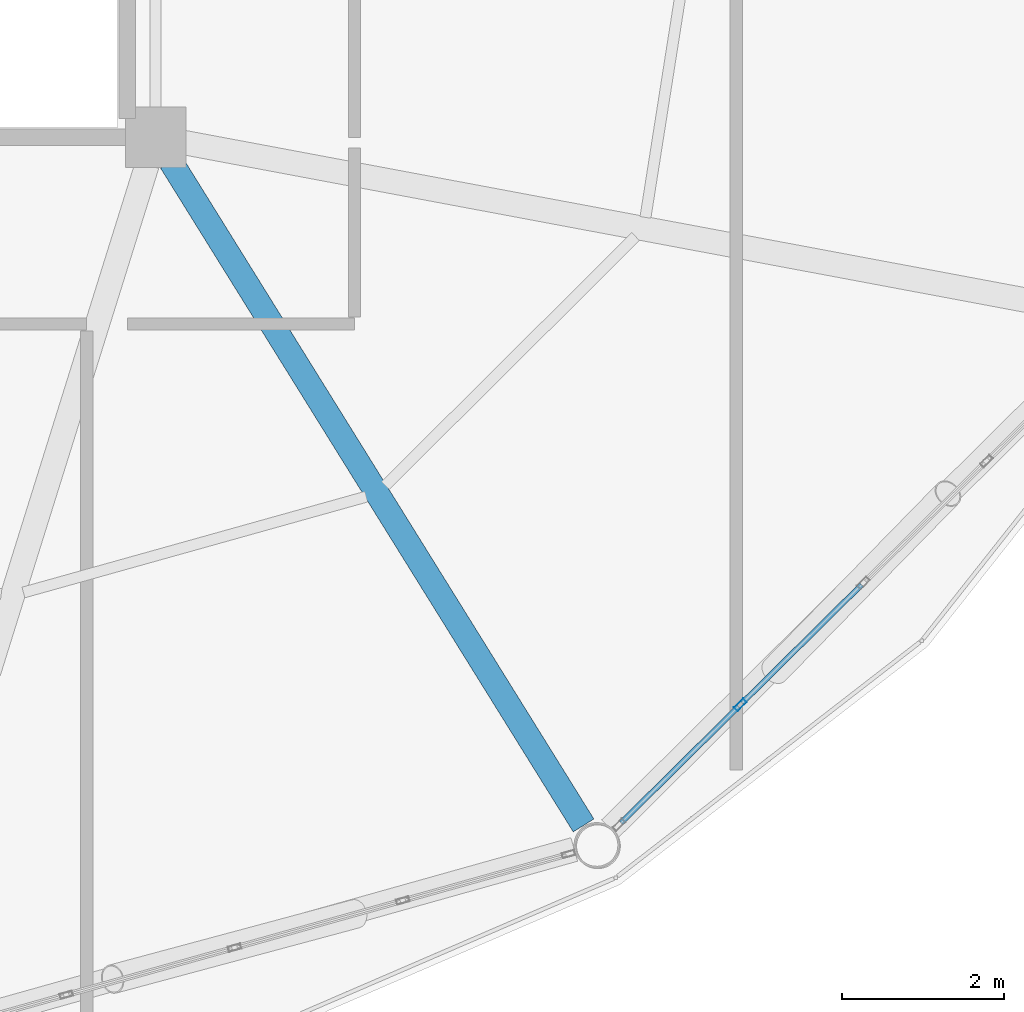
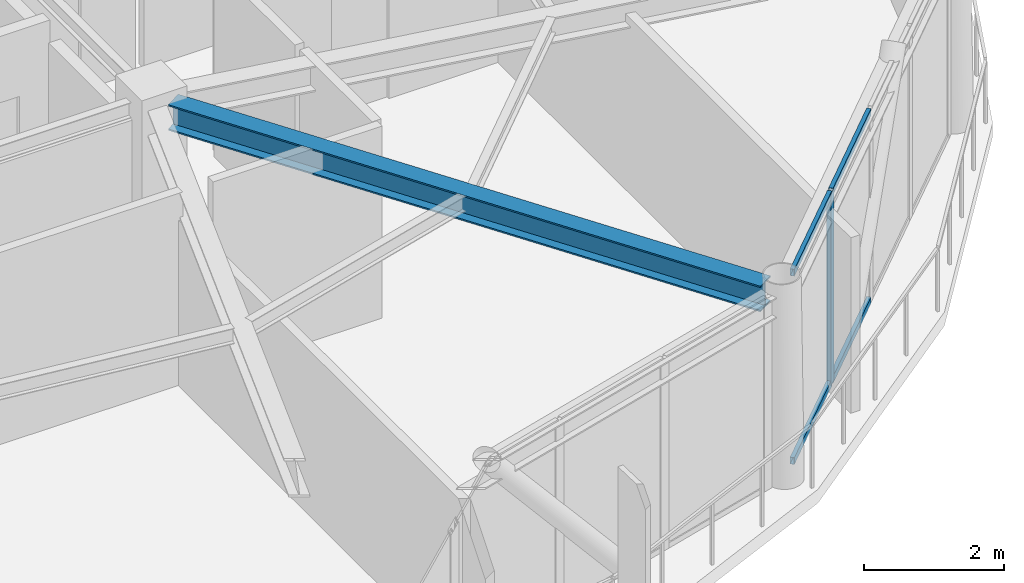
# One storey, part 7 of 24: 5 members, 1 beam, 1 element without a shape of its own.
"""IFC4 building model written with IfcOpenShell, lengths in metres."""

import ifcopenshell
import ifcopenshell.guid

model = None  # the IFC model being written
_history = None  # IfcOwnerHistory: only IFC2X3 demands one
_inside = {}  # id of a spatial element -> (the spatial element, [elements in it])
_under = {}  # id of a project, library or spatial element -> (it, [spatial elements below it])
_declared = {}  # id of a project -> (the project, [libraries it declares])
_typed = {}  # id of a type object -> (the type object, [elements of that type])
_made_of = {}  # id of a material, layer set ... -> (it, [elements and type objects made of it])


def new_model(schema):
    """Start an empty IFC model of exactly this schema.

    Asked for "IFC4X3", IfcOpenShell would pick the latest addendum, in which some entities
    have other attributes; the version numbers below select the first issue.
    IFC2X3 requires an IfcOwnerHistory on every rooted entity: one is made here for all.
    """
    global model, _history
    if schema == "IFC4X3":
        model = ifcopenshell.file(schema_version=(4, 3, 0, 0))
    else:
        model = ifcopenshell.file(schema=schema)
    _inside.clear()
    _under.clear()
    _declared.clear()
    _typed.clear()
    _made_of.clear()
    _history = None
    if model.schema == "IFC2X3":
        org = make("IfcOrganization", Name="unknown")
        user = make(
            "IfcPersonAndOrganization",
            ThePerson=make("IfcPerson", FamilyName="unknown"),
            TheOrganization=org,
        )
        app = make(
            "IfcApplication",
            ApplicationDeveloper=org,
            Version="unknown",
            ApplicationFullName="unknown",
            ApplicationIdentifier="unknown",
        )
        _history = make(
            "IfcOwnerHistory",
            OwningUser=user,
            OwningApplication=app,
            ChangeAction="ADDED",
            CreationDate=0,
        )
    return model


def make(cls, **values):
    """One entity of the class cls with the attributes given. An attribute that is None is left unset."""
    return model.create_entity(
        cls, **{name: value for name, value in values.items() if value is not None}
    )


def rooted(cls, **values):
    """An entity with a GlobalId (a new one), such as an element, a storey or a relation."""
    return make(cls, GlobalId=ifcopenshell.guid.new(), OwnerHistory=_history, **values)


def si_unit(unit_type, name, prefix=None):
    """IfcSIUnit, for example si_unit("LENGTHUNIT", "METRE", prefix="MILLI")."""
    return make("IfcSIUnit", UnitType=unit_type, Prefix=prefix, Name=name)


def assignment(units):
    """IfcUnitAssignment: the units of a project."""
    return None if units is None else make("IfcUnitAssignment", Units=units)


def point(xyz):
    """IfcCartesianPoint."""
    return None if xyz is None else make("IfcCartesianPoint", Coordinates=xyz)


def direction(xyz):
    """IfcDirection."""
    return None if xyz is None else make("IfcDirection", DirectionRatios=xyz)


def frame(location, z_axis=None, x_axis=None):
    """IfcAxis2Placement3D, a coordinate frame: its origin and axes. An axis left out is left unset."""
    return make(
        "IfcAxis2Placement3D",
        Location=point(location),
        Axis=direction(z_axis),
        RefDirection=direction(x_axis),
    )


def frame_2d(location, x_axis=None):
    """IfcAxis2Placement2D, a coordinate frame in the plane: its origin and x axis."""
    return make(
        "IfcAxis2Placement2D", Location=point(location), RefDirection=direction(x_axis)
    )


def origin():
    """The frame at (0, 0, 0) with its axes left unset."""
    return frame((0.0, 0.0, 0.0))


def origin_2d():
    """The frame at (0, 0) in the plane with its x axis left unset."""
    return frame_2d((0.0, 0.0))


def place(relative_to, where):
    """IfcLocalPlacement: puts the frame where relative to a parent placement (None: the world)."""
    return make(
        "IfcLocalPlacement", PlacementRelTo=relative_to, RelativePlacement=where
    )


def context(
    kind, dimensions, precision=None, world=None, true_north=None, identifier=None
):
    """IfcGeometricRepresentationContext, for example the 3D "Model" context."""
    return make(
        "IfcGeometricRepresentationContext",
        ContextIdentifier=identifier,
        ContextType=kind,
        CoordinateSpaceDimension=dimensions,
        Precision=precision,
        WorldCoordinateSystem=world,
        TrueNorth=true_north,
    )


def subcontext(parent, identifier, kind, view, scale=None):
    """IfcGeometricRepresentationSubContext, for example "Body" below "Model"."""
    return make(
        "IfcGeometricRepresentationSubContext",
        ContextIdentifier=identifier,
        ContextType=kind,
        ParentContext=parent,
        TargetScale=scale,
        TargetView=view,
    )


def project(units=None, contexts=None):
    """IfcProject with its units and contexts."""
    return rooted(
        "IfcProject",
        Name="project",
        RepresentationContexts=contexts,
        UnitsInContext=assignment(units),
    )


def spatial(cls, under=None, at=None, **own):
    """A site, building, storey or space (cls), placed at a placement, below another one or the project."""
    s = rooted(cls, ObjectPlacement=at, **own)
    if under is not None:
        _under.setdefault(under.id(), (under, []))[1].append(s)
    return s


def profile(cls, at=None, kind="AREA", **sizes):
    """A parametric profile (cls). Its sizes go by their IFC names, for example OverallWidth=200.0."""
    return make(cls, ProfileType=kind, Position=at, **sizes)


def hollow_rectangle(**sizes):
    """IfcRectangleHollowProfileDef."""
    return profile("IfcRectangleHollowProfileDef", **sizes)


def i_section(**sizes):
    """IfcIShapeProfileDef."""
    return profile("IfcIShapeProfileDef", **sizes)


def extrude(swept, where, along, depth):
    """IfcExtrudedAreaSolid: the profile swept, set in the frame where, extruded along a direction by depth."""
    return make(
        "IfcExtrudedAreaSolid",
        SweptArea=swept,
        Position=where,
        ExtrudedDirection=direction(along),
        Depth=depth,
    )


def shape(context_of_items, identifier, shape_type, items):
    """IfcShapeRepresentation: the items that make up one representation, for example the "Body"."""
    return make(
        "IfcShapeRepresentation",
        ContextOfItems=context_of_items,
        RepresentationIdentifier=identifier,
        RepresentationType=shape_type,
        Items=items,
    )


def material(Name=None, Category=None):
    """IfcMaterial."""
    return make("IfcMaterial", Name=Name, Category=Category)


def layer(
    of_material, thickness, ventilated=None, Name=None, Category=None, Priority=None
):
    """IfcMaterialLayer: one layer of a wall or slab, of a material (None: an air gap)."""
    return make(
        "IfcMaterialLayer",
        Material=of_material,
        LayerThickness=thickness,
        IsVentilated=ventilated,
        Name=Name,
        Category=Category,
        Priority=Priority,
    )


def layer_set(layers, Name=None):
    """IfcMaterialLayerSet."""
    return make("IfcMaterialLayerSet", MaterialLayers=layers, LayerSetName=Name)


def material_profile(
    of_material, cross_section, Name=None, Category=None, Priority=None
):
    """IfcMaterialProfile: a cross section and its material."""
    return make(
        "IfcMaterialProfile",
        Name=Name,
        Material=of_material,
        Profile=cross_section,
        Priority=Priority,
        Category=Category,
    )


def profile_set(profiles, Name=None, composite=None):
    """IfcMaterialProfileSet."""
    return make(
        "IfcMaterialProfileSet",
        Name=Name,
        MaterialProfiles=profiles,
        CompositeProfile=composite,
    )


def made_of(thing, what):
    """Note that an element or type object is made of a material, layer set ...; save() writes the relation."""
    if what is not None:
        _made_of.setdefault(what.id(), (what, []))[1].append(thing)
    return thing


def type_object(cls, material=None, **own):
    """A type object (cls), such as IfcWallType, which elements share."""
    return made_of(rooted(cls, **own), material)


def element(
    cls,
    number,
    at=None,
    inside=None,
    cuts=None,
    type_object=None,
    material=None,
    context=None,
    identifier="Body",
    shape_type=None,
    held_by="IfcProductDefinitionShape",
    body=None,
    shapes=None,
    **own,
):
    """One element of the class cls, such as IfcWall. Its Tag is "e" and its number.

    at: its placement. inside: the storey or other place that contains it. cuts: it is an
    opening in that element (IfcRelVoidsElement). A single representation is given by context,
    identifier, shape_type and body (its items); several are given by shapes. held_by: the class
    of the entity that holds the representations. save() writes the other relations.
    """
    e = rooted(cls, Tag="e%d" % number, ObjectPlacement=at, **own)
    if body is not None:
        shapes = [shape(context, identifier, shape_type, body)]
    if shapes is not None:
        e.Representation = make(held_by, Representations=shapes)
    if inside is not None:
        _inside.setdefault(inside.id(), (inside, []))[1].append(e)
    if cuts is not None:
        rooted(
            "IfcRelVoidsElement", RelatingBuildingElement=cuts, RelatedOpeningElement=e
        )
    if type_object is not None:
        _typed.setdefault(type_object.id(), (type_object, []))[1].append(e)
    return made_of(e, material)


def aggregate(whole, parts):
    """IfcRelAggregates: a whole, such as a stair, and the parts it consists of."""
    return rooted("IfcRelAggregates", RelatingObject=whole, RelatedObjects=parts)


def save(model, path):
    """Write the relations noted so far, then the file.

    IfcRelAggregates (storeys below a building ...), IfcRelContainedInSpatialStructure (elements
    in a storey), IfcRelDefinesByType, IfcRelAssociatesMaterial and IfcRelDeclares: one each for
    every whole, place, type object, material and project.
    """
    for whole, parts in _under.values():
        aggregate(whole, parts)
    for where, things in _inside.values():
        rooted(
            "IfcRelContainedInSpatialStructure",
            RelatedElements=things,
            RelatingStructure=where,
        )
    for kind, things in _typed.values():
        rooted("IfcRelDefinesByType", RelatedObjects=things, RelatingType=kind)
    for what, things in _made_of.values():
        rooted("IfcRelAssociatesMaterial", RelatedObjects=things, RelatingMaterial=what)
    for by, libraries in _declared.values():
        rooted("IfcRelDeclares", RelatingContext=by, RelatedDefinitions=libraries)
    model.write(path)


model = new_model("IFC4")

# Units and contexts
model_context = context("Model", 3, precision=1e-05, world=origin(), true_north=direction((0.0, 1.0)))
body_context = subcontext(model_context, "Body", "Model", "MODEL_VIEW")
ifc_project = project(units=[si_unit("LENGTHUNIT", "METRE"), si_unit("AREAUNIT", "SQUARE_METRE"), si_unit("VOLUMEUNIT", "CUBIC_METRE"), si_unit("PLANEANGLEUNIT", "RADIAN"), si_unit("MASSUNIT", "GRAM", prefix="KILO")], contexts=[model_context])

# Site, building, storey
site_placement = place(None, origin())
site = spatial("IfcSite", under=ifc_project, at=site_placement, CompositionType="ELEMENT")
building_placement = place(site_placement, origin())
building = spatial("IfcBuilding", under=site, at=building_placement, Name="Varnakorn Sky Granary", CompositionType="ELEMENT")
storey_placement = place(building_placement, frame((0.0, 0.0, 274.199951171875)))
storey = spatial("IfcBuildingStorey", under=building, at=storey_placement, Name="L70", CompositionType="ELEMENT", Elevation=274.199951171875)

# Beam
ifc_material_1 = material(Name="Steel S355JR", Category="steel")
ifc_material_profile_1 = material_profile(ifc_material_1, i_section(OverallWidth=0.300048828125, OverallDepth=0.449951171875, WebThickness=0.013916015625, FlangeThickness=0.02587890625, at=origin_2d()), Name="HE 450 B")
ifc_profile_set_1 = profile_set([ifc_material_profile_1], Name="Steel S355JR")
beam_type = type_object("IfcBeamType", Name="BM-RAD-Z5", PredefinedType="BEAM", material=ifc_profile_set_1)
beam_placement = place(storey_placement, frame((8.537353515625, -6.901611328125, 3.135009765625), z_axis=(0.528009280202, -0.849238600171, 0.0), x_axis=(0.849238600171, 0.528009280202, 0.0)))
element("IfcBeam", 1, at=beam_placement, inside=storey, type_object=beam_type, Name="Radial Floor Girder RG11 L70", PredefinedType="BEAM", context=body_context, shape_type="SweptSolid", body=[
    extrude(i_section(OverallWidth=0.300048828125, OverallDepth=0.449951171875, WebThickness=0.013916015625, FlangeThickness=0.02587890625, at=origin_2d()), origin(), (0.0, 0.0, 1.0), 9.625),
])

# Curtain wall, members
ifc_material_2 = material(Name="Anodised Bronze Aluminium Alloy 6063-T6", Category="aluminium")
ifc_layer = layer(ifc_material_2, 0.159912109375, Name="Anodised Bronze Aluminium Alloy 6063-T6")
ifc_layer_set = layer_set([ifc_layer], Name="Anodised Bronze Aluminium Alloy 6063-T6")
curtain_wall_type = type_object("IfcCurtainWallType", Name="CW-OFF-1", PredefinedType="USERDEFINED", material=ifc_layer_set)
curtain_wall_placement = place(storey_placement, origin())
curtain_wall = element("IfcCurtainWall", 2, at=curtain_wall_placement, inside=storey, type_object=curtain_wall_type, Name="Unitised Curtain Wall CW6 CW-L70-B11", ObjectType="CURTAIN WALL", PredefinedType="USERDEFINED")
ifc_material_profile_2 = material_profile(ifc_material_2, hollow_rectangle(XDim=0.06494140625, YDim=0.159912109375, WallThickness=0.00341796875, at=origin_2d()), Name="ALU MULL 65x160")
ifc_profile_set_2 = profile_set([ifc_material_profile_2], Name="Anodised Bronze Aluminium Alloy 6063-T6")
member_type_1 = type_object("IfcMemberType", Name="CW-OFF-1-MULL", PredefinedType="MULLION", material=ifc_profile_set_2)
member_1_placement = place(storey_placement, frame((15.55029296875, -13.589599609375, 0.0), z_axis=(0.0, 0.0, 1.0), x_axis=(0.703399020646, -0.710795200993, 0.0)))
member_1 = element("IfcMember", 3, at=member_1_placement, type_object=member_type_1, Name="CW6 mullion 4", PredefinedType="MULLION", context=body_context, shape_type="SweptSolid", body=[
    extrude(hollow_rectangle(XDim=0.06494140625, YDim=0.159912109375, WallThickness=0.00341796875, at=origin_2d()), origin(), (0.0, 0.0, 1.0), 3.360107421875),
])
ifc_material_profile_3 = material_profile(ifc_material_2, hollow_rectangle(XDim=0.06494140625, YDim=0.1201171875, WallThickness=0.00341796875, at=origin_2d()), Name="ALU TRAN 65x120")
ifc_profile_set_3 = profile_set([ifc_material_profile_3], Name="Anodised Bronze Aluminium Alloy 6063-T6")
member_type_2 = type_object("IfcMemberType", Name="CW-OFF-1-TRAN", PredefinedType="USERDEFINED", material=ifc_profile_set_3)
member_2_placement = place(storey_placement, frame((17.043212890625, -12.112060546875, 0.032470703125), z_axis=(-0.710757354944, -0.703437262585, 0.0), x_axis=(0.703437262585, -0.710757354944, 0.0)))
member_2 = element("IfcMember", 4, at=member_2_placement, type_object=member_type_2, Name="CW6 transom 3.1", ObjectType="TRANSOM", PredefinedType="USERDEFINED", context=body_context, shape_type="SweptSolid", body=[
    extrude(hollow_rectangle(XDim=0.06494140625, YDim=0.1201171875, WallThickness=0.00341796875, at=origin_2d()), origin(), (0.0, 0.0, 1.0), 2.06787109375),
])
member_3_placement = place(storey_placement, frame((17.043212890625, -12.112060546875, 3.32763671875), z_axis=(-0.710757354944, -0.703437262585, 0.0), x_axis=(0.703437262585, -0.710757354944, 0.0)))
member_3 = element("IfcMember", 5, at=member_3_placement, type_object=member_type_2, Name="CW6 transom 3.2", ObjectType="TRANSOM", PredefinedType="USERDEFINED", context=body_context, shape_type="SweptSolid", body=[
    extrude(hollow_rectangle(XDim=0.06494140625, YDim=0.1201171875, WallThickness=0.00341796875, at=origin_2d()), origin(), (0.0, 0.0, 1.0), 2.06787109375),
])
member_4_placement = place(storey_placement, frame((15.52734375, -13.6123046875, 0.032470703125), z_axis=(-0.710755442404, -0.703439195022, 0.0), x_axis=(0.703439195022, -0.710755442404, 0.0)))
member_4 = element("IfcMember", 6, at=member_4_placement, type_object=member_type_2, Name="CW6 transom 4.1", ObjectType="TRANSOM", PredefinedType="USERDEFINED", context=body_context, shape_type="SweptSolid", body=[
    extrude(hollow_rectangle(XDim=0.06494140625, YDim=0.1201171875, WallThickness=0.00341796875, at=origin_2d()), origin(), (0.0, 0.0, 1.0), 2.03564453125),
])
member_5_placement = place(storey_placement, frame((15.52734375, -13.6123046875, 3.32763671875), z_axis=(-0.710755442404, -0.703439195022, 0.0), x_axis=(0.703439195022, -0.710755442404, 0.0)))
member_5 = element("IfcMember", 7, at=member_5_placement, type_object=member_type_2, Name="CW6 transom 4.2", ObjectType="TRANSOM", PredefinedType="USERDEFINED", context=body_context, shape_type="SweptSolid", body=[
    extrude(hollow_rectangle(XDim=0.06494140625, YDim=0.1201171875, WallThickness=0.00341796875, at=origin_2d()), origin(), (0.0, 0.0, 1.0), 2.03564453125),
])
aggregate(curtain_wall, [member_1, member_2, member_3, member_4, member_5])

save(model, "model.ifc")
